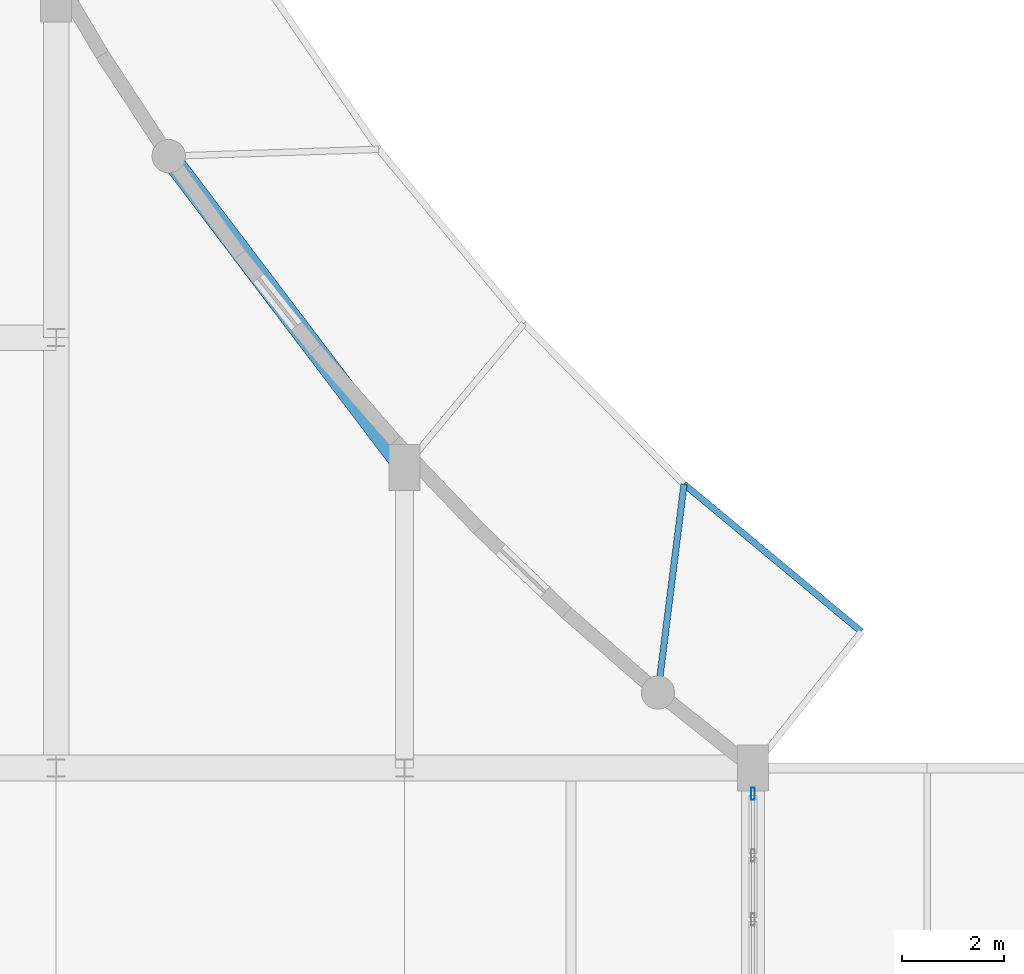
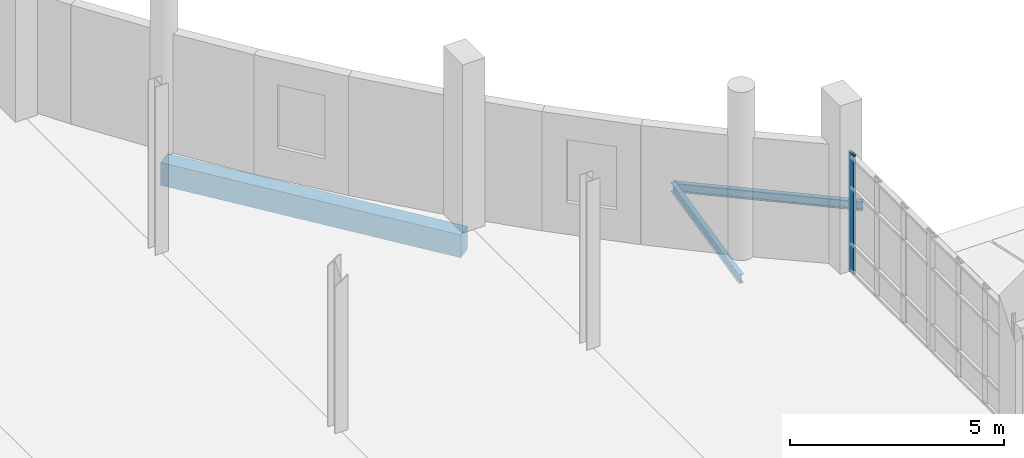
# One storey, part 12 of 106: 3 beams, 1 member, 1 element without a shape of its own.
"""IFC4 building model written with IfcOpenShell, lengths in metres."""

from ifc_helpers import new_model, si_unit, direction, frame, origin, origin_2d, place, context, subcontext, project, spatial, rectangle, hollow_rectangle, i_section, extrude, material, layer, layer_set, material_profile, profile_set, type_object, element, aggregate, save


model = new_model("IFC4")

# Units and contexts
model_context = context("Model", 3, precision=1e-05, world=origin(), true_north=direction((0.0, 1.0)))
body_context = subcontext(model_context, "Body", "Model", "MODEL_VIEW")
ifc_project = project(units=[si_unit("LENGTHUNIT", "METRE"), si_unit("AREAUNIT", "SQUARE_METRE"), si_unit("VOLUMEUNIT", "CUBIC_METRE"), si_unit("PLANEANGLEUNIT", "RADIAN"), si_unit("MASSUNIT", "GRAM", prefix="KILO")], contexts=[model_context])

# Site, building, storey
site_placement = place(None, origin())
site = spatial("IfcSite", under=ifc_project, at=site_placement, CompositionType="ELEMENT")
building_placement = place(site_placement, origin())
building = spatial("IfcBuilding", under=site, at=building_placement, Name="Kisaragi Civic Commons", CompositionType="ELEMENT")
storey_placement = place(building_placement, frame((0.0, 0.0, 4.800048828125)))
storey = spatial("IfcBuildingStorey", under=building, at=storey_placement, Name="L01", CompositionType="ELEMENT", Elevation=4.800048828125)

# Curtain wall, member
ifc_material_1 = material(Name="Thermally broken anodized aluminium and low-E double glazing", Category="aluminium")
ifc_layer = layer(ifc_material_1, 0.2099609375, Name="Thermally broken anodized aluminium and low-E double glazing", Category="aluminium")
ifc_layer_set = layer_set([ifc_layer], Name="Thermally broken anodized aluminium and low-E double glazing")
curtain_wall_type = type_object("IfcCurtainWallType", Name="CW-02", PredefinedType="NOTDEFINED", material=ifc_layer_set)
curtain_wall_placement = place(storey_placement, origin())
curtain_wall = element("IfcCurtainWall", 1, at=curtain_wall_placement, inside=storey, type_object=curtain_wall_type, Name="L01 curtain wall CW-02 CW-V1-L01-001", PredefinedType="NOTDEFINED")
ifc_material_profile_1 = material_profile(ifc_material_1, hollow_rectangle(XDim=0.074951171875, YDim=0.239990234375, WallThickness=0.006103515625, InnerFilletRadius=0.006103515625, OuterFilletRadius=0.011962890625, at=origin_2d()), Name="CWM-75x240x6", Category="aluminium")
ifc_profile_set_1 = profile_set([ifc_material_profile_1], Name="Thermally broken anodized aluminium and low-E double glazing")
member_type = type_object("IfcMemberType", Name="CWM-04", PredefinedType="MULLION", material=ifc_profile_set_1)
member_placement = place(storey_placement, frame((47.60009765625, 16.297607421875, 0.0), z_axis=(0.0, 0.0, 1.0), x_axis=(1.0, 0.0, 0.0)))
member = element("IfcMember", 2, at=member_placement, type_object=member_type, Name="CW-02 mullion 1", PredefinedType="MULLION", context=body_context, shape_type="SweptSolid", body=[
    extrude(hollow_rectangle(XDim=0.074951171875, YDim=0.239990234375, WallThickness=0.006103515625, InnerFilletRadius=0.006103515625, OuterFilletRadius=0.011962890625, at=origin_2d()), origin(), (0.0, 0.0, 1.0), 3.405029296875),
])
aggregate(curtain_wall, [member])

# Beams
ifc_material_2 = material(Name="Steel SN400 (SN400B)", Category="steel")
ifc_material_profile_2 = material_profile(ifc_material_2, i_section(OverallWidth=0.125, OverallDepth=0.25, WebThickness=0.006103515625, FlangeThickness=0.009033203125, FilletRadius=0.008056640625, at=origin_2d()), Name="H-250x125x6x9", Category="steel")
ifc_profile_set_2 = profile_set([ifc_material_profile_2], Name="Steel SN400 (SN400B)")
beam_type_1 = type_object("IfcBeamType", Name="J-05", PredefinedType="JOIST", material=ifc_profile_set_2)
beam_1_placement = place(storey_placement, frame((46.2548828125, 22.341552734375, -0.75), z_axis=(0.768647711897, -0.639672334086, 0.0), x_axis=(0.639672334086, 0.768647711897, 0.0)))
element("IfcBeam", 3, at=beam_1_placement, inside=storey, type_object=beam_type_1, Name="VER-V1 L01 edge beam 34", PredefinedType="JOIST", context=body_context, shape_type="SweptSolid", body=[
    extrude(i_section(OverallWidth=0.125, OverallDepth=0.25, WebThickness=0.006103515625, FlangeThickness=0.009033203125, FilletRadius=0.008056640625, at=origin_2d()), origin(), (0.0, 0.0, 1.0), 4.503173828125),
])
beam_2_placement = place(storey_placement, frame((46.2548828125, 22.341552734375, -0.75), z_axis=(-0.124064056517, -0.992274211033, 0.0), x_axis=(0.992274211033, -0.124064056517, 0.0)))
element("IfcBeam", 4, at=beam_2_placement, inside=storey, type_object=beam_type_1, Name="VER-V1 L01 radial tie 45", PredefinedType="JOIST", context=body_context, shape_type="SweptSolid", body=[
    extrude(i_section(OverallWidth=0.125, OverallDepth=0.25, WebThickness=0.006103515625, FlangeThickness=0.009033203125, FilletRadius=0.008056640625, at=origin_2d()), origin(), (0.0, 0.0, 1.0), 4.09912109375),
])
ifc_material_3 = material(Name="Concrete Fc30", Category="concrete")
ifc_material_profile_3 = material_profile(ifc_material_3, rectangle(XDim=0.39990234375, YDim=0.64990234375, at=origin_2d()), Name="RC-400x650", Category="concrete")
ifc_profile_set_3 = profile_set([ifc_material_profile_3], Name="Concrete Fc30")
beam_type_2 = type_object("IfcBeamType", Name="SPB-02", PredefinedType="SPANDREL", material=ifc_profile_set_3)
beam_3_placement = place(storey_placement, frame((36.19873046875, 28.740966796875, -0.630126953125), z_axis=(0.60390457291, -0.797056627109, 0.0), x_axis=(0.797056627109, 0.60390457291, 0.0)))
element("IfcBeam", 5, at=beam_3_placement, inside=storey, type_object=beam_type_2, Name="L01 curved spandrel/ring girder SPB-02 162", PredefinedType="SPANDREL", context=body_context, shape_type="SweptSolid", body=[
    extrude(rectangle(XDim=0.39990234375, YDim=0.64990234375, at=origin_2d()), origin(), (0.0, 0.0, 1.0), 7.619384765625),
])

save(model, "model.ifc")
